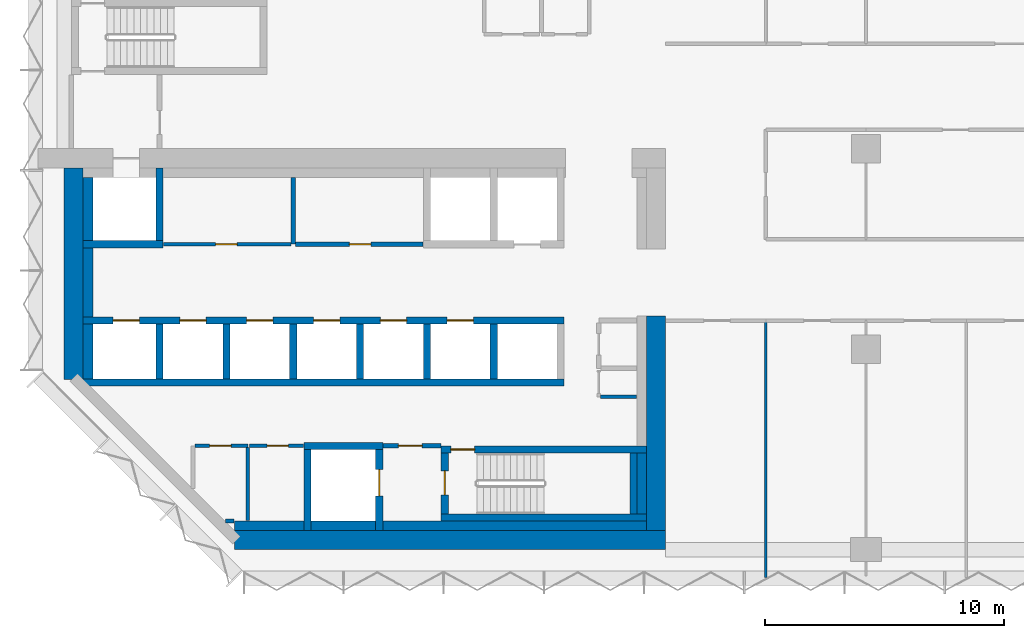
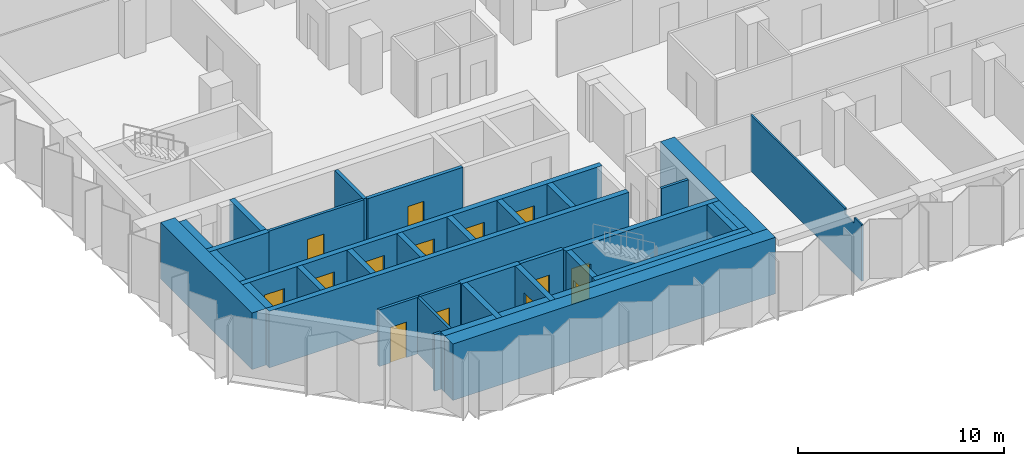
# One storey, part 7 of 13: 37 walls, 14 doors, 14 openings.
"""IFC4 building model written with IfcOpenShell, lengths in metres."""

from ifc_helpers import new_model, si_unit, direction, frame, frame_2d, origin, place, context, subcontext, project, spatial, polyline, rectangle, outline, extrude, material, layer, layer_set, type_object, element, fill, save


model = new_model("IFC4")

# Units and contexts
model_context = context("Model", 3, precision=1e-05, world=origin(), true_north=direction((0.0, 1.0)))
body_context = subcontext(model_context, "Body", "Model", "MODEL_VIEW")
ifc_project = project(units=[si_unit("LENGTHUNIT", "METRE"), si_unit("AREAUNIT", "SQUARE_METRE"), si_unit("VOLUMEUNIT", "CUBIC_METRE"), si_unit("PLANEANGLEUNIT", "RADIAN"), si_unit("MASSUNIT", "GRAM", prefix="KILO")], contexts=[model_context])

# Site, building, storey
site_placement = place(None, origin())
site = spatial("IfcSite", under=ifc_project, at=site_placement, CompositionType="ELEMENT")
building_placement = place(site_placement, origin())
building = spatial("IfcBuilding", under=site, at=building_placement, Name="Brevane Broadcast Tower", CompositionType="ELEMENT")
storey_placement = place(building_placement, frame((0.0, 0.0, 127.699951171875)))
storey = spatial("IfcBuildingStorey", under=building, at=storey_placement, Name="L31", CompositionType="ELEMENT", Elevation=127.699951171875)

# Walls
ifc_material_1 = material(Name="Concrete C32/40", Category="concrete")
ifc_layer_1 = layer(ifc_material_1, 0.39990234375)
ifc_layer_set_1 = layer_set([ifc_layer_1], Name="Core chase wall 400 mm")
wall_type_1 = type_object("IfcWallType", Name="Core chase wall 400 mm", PredefinedType="PARTITIONING", material=ifc_layer_set_1)
wall_1_placement = place(storey_placement, frame((1.0, 7.14990234375, 0.0), z_axis=(0.0, 0.0, 1.0), x_axis=(0.0, 1.0, 0.0)))
element("IfcWall", 1, at=wall_1_placement, inside=storey, type_object=wall_type_1, Name="L31 chase wall LW-2-1", PredefinedType="PARTITIONING", context=body_context, shape_type="SweptSolid", body=[
    extrude(rectangle(XDim=2.300048828125, YDim=0.39990234375, at=frame_2d((1.14990234375, 0.0))), origin(), (0.0, 0.0, 1.0), 3.35009765625),
])
wall_2_placement = place(storey_placement, frame((1.0, 9.75, 0.0), z_axis=(0.0, 0.0, 1.0), x_axis=(0.0, 1.0, 0.0)))
element("IfcWall", 2, at=wall_2_placement, inside=storey, type_object=wall_type_1, Name="L31 chase wall LW-2-2-1", PredefinedType="PARTITIONING", context=body_context, shape_type="SweptSolid", body=[
    extrude(rectangle(XDim=2.89990234375, YDim=0.39990234375, at=frame_2d((1.449951171875, 0.0))), origin(), (0.0, 0.0, 1.0), 3.35009765625),
])
wall_3_placement = place(storey_placement, frame((1.0, 12.949951171875, 0.0), z_axis=(0.0, 0.0, 1.0), x_axis=(0.0, 1.0, 0.0)))
element("IfcWall", 3, at=wall_3_placement, inside=storey, type_object=wall_type_1, Name="L31 chase wall LW-2-2-2", PredefinedType="PARTITIONING", context=body_context, shape_type="SweptSolid", body=[
    extrude(rectangle(XDim=2.650146484375, YDim=0.39990234375, at=frame_2d((1.3251953125, 0.0))), origin(), (0.0, 0.0, 1.0), 3.35009765625),
])
wall_4_placement = place(storey_placement, frame((7.136474609375, 1.0, 0.0), z_axis=(0.0, 0.0, 1.0), x_axis=(1.0, 0.0, 0.0)))
element("IfcWall", 4, at=wall_4_placement, inside=storey, type_object=wall_type_1, Name="L31 chase wall LS-1", PredefinedType="PARTITIONING", context=body_context, shape_type="SweptSolid", body=[
    extrude(rectangle(XDim=2.91357421875, YDim=0.39990234375, at=frame_2d((1.456787109375, 0.0))), origin(), (0.0, 0.0, 1.0), 3.35009765625),
])
wall_5_placement = place(storey_placement, frame((10.35009765625, 1.0, 0.0), z_axis=(0.0, 0.0, 1.0), x_axis=(1.0, 0.0, 0.0)))
element("IfcWall", 5, at=wall_5_placement, inside=storey, type_object=wall_type_1, Name="L31 chase wall LS-2-1", PredefinedType="PARTITIONING", context=body_context, shape_type="SweptSolid", body=[
    extrude(rectangle(XDim=2.699951171875, YDim=0.39990234375, at=frame_2d((1.35009765625, 0.0))), origin(), (0.0, 0.0, 1.0), 3.35009765625),
])
wall_6_placement = place(storey_placement, frame((13.35009765625, 1.0, 0.0), z_axis=(0.0, 0.0, 1.0), x_axis=(1.0, 0.0, 0.0)))
element("IfcWall", 6, at=wall_6_placement, inside=storey, type_object=wall_type_1, Name="L31 chase wall LS-2-2", PredefinedType="PARTITIONING", context=body_context, shape_type="SweptSolid", body=[
    extrude(rectangle(XDim=11.0498046875, YDim=0.39990234375, at=frame_2d((5.52490234375, 0.0))), origin(), (0.0, 0.0, 1.0), 3.35009765625),
])
wall_7_placement = place(storey_placement, frame((24.199951171875, 1.5, 0.0), z_axis=(0.0, 0.0, 1.0), x_axis=(0.0, 1.0, 0.0)))
element("IfcWall", 7, at=wall_7_placement, inside=storey, type_object=wall_type_1, Name="L31 chase wall LE1-2-1", PredefinedType="PARTITIONING", context=body_context, shape_type="SweptSolid", body=[
    extrude(rectangle(XDim=2.550048828125, YDim=0.39990234375, at=frame_2d((1.27490234375, 0.0))), origin(), (0.0, 0.0, 1.0), 3.35009765625),
])

# Wall, opening, door
ifc_material_2 = material(Name="Gypsum board on steel studs", Category="steel")
ifc_layer_2 = layer(ifc_material_2, 0.14990234375)
ifc_layer_set_2 = layer_set([ifc_layer_2], Name="Core fire partition 150 mm")
wall_type_2 = type_object("IfcWallType", Name="Core fire partition 150 mm", PredefinedType="PARTITIONING", material=ifc_layer_set_2)
wall_8_placement = place(storey_placement, frame((4.162109375, 12.800048828125, 0.0), z_axis=(0.0, 0.0, 1.0), x_axis=(1.0, 0.0, 0.0)))
wall_8 = element("IfcWall", 8, at=wall_8_placement, inside=storey, type_object=wall_type_2, Name="L31 partition wall P09", PredefinedType="PARTITIONING", context=body_context, shape_type="SweptSolid", body=[
    extrude(rectangle(XDim=5.337890625, YDim=0.14990234375, at=frame_2d((2.6689453125, 0.0))), origin(), (0.0, 0.0, 1.0), 3.35009765625),
])
opening_1_placement = place(wall_8_placement, frame((2.18798828125, 0.0, 0.0)))
opening_1 = element("IfcOpeningElement", 9, at=opening_1_placement, cuts=wall_8, Name="Opening L31-K21", PredefinedType="OPENING", context=body_context, shape_type="SweptSolid", body=[
    extrude(rectangle(XDim=0.89990234375, YDim=2.10009765625, at=frame_2d((0.449951171875, 1.050048828125))), frame((0.0, 0.0849609375, 0.0), z_axis=(0.0, -1.0, 0.0), x_axis=(1.0, 0.0, 0.0)), (0.0, 0.0, 1.0), 0.169921875),
])
ifc_material_3 = material(Name="Steel", Category="steel")
door_type_1 = type_object("IfcDoorType", Name="Service room door 900 x 2100", OperationType="SINGLE_SWING_LEFT", PredefinedType="DOOR", material=ifc_material_3)
door_1_placement = place(opening_1_placement, origin())
door_1 = element("IfcDoor", 10, at=door_1_placement, inside=storey, type_object=door_type_1, Name="Door L31-K21", OperationType="SINGLE_SWING_RIGHT", OverallHeight=2.10009765625, OverallWidth=0.89990234375, PredefinedType="DOOR", context=body_context, shape_type="SweptSolid", body=[
    extrude(rectangle(XDim=0.89990234375, YDim=2.10009765625, at=frame_2d((0.449951171875, 1.050048828125))), frame((0.0, 0.02490234375, 0.0), z_axis=(0.0, -1.0, 0.0), x_axis=(1.0, 0.0, 0.0)), (0.0, 0.0, 1.0), 0.050048828125),
])
fill(opening_1, door_1)

wall_9_placement = place(storey_placement, frame((5.47509765625, 4.35009765625, 0.0), z_axis=(0.0, 0.0, 1.0), x_axis=(1.0, 0.0, 0.0)))
wall_9 = element("IfcWall", 11, at=wall_9_placement, inside=storey, type_object=wall_type_2, Name="L31 partition wall P11", PredefinedType="PARTITIONING", context=body_context, shape_type="SweptSolid", body=[
    extrude(rectangle(XDim=2.224853515625, YDim=0.14990234375, at=frame_2d((1.1123046875, 0.0))), origin(), (0.0, 0.0, 1.0), 3.35009765625),
])
opening_2_placement = place(wall_9_placement, frame((0.625, 0.0, 0.0)))
opening_2 = element("IfcOpeningElement", 12, at=opening_2_placement, cuts=wall_9, Name="Opening L31-K16", PredefinedType="OPENING", context=body_context, shape_type="SweptSolid", body=[
    extrude(rectangle(XDim=0.89990234375, YDim=2.10009765625, at=frame_2d((0.449951171875, 1.050048828125))), frame((0.0, 0.0849609375, 0.0), z_axis=(0.0, -1.0, 0.0), x_axis=(1.0, 0.0, 0.0)), (0.0, 0.0, 1.0), 0.169921875),
])
ifc_material_4 = material(Name="Timber", Category="wood")
door_type_2 = type_object("IfcDoorType", Name="Toilet door 900 x 2100", OperationType="SINGLE_SWING_LEFT", PredefinedType="DOOR", material=ifc_material_4)
door_2_placement = place(opening_2_placement, origin())
door_2 = element("IfcDoor", 13, at=door_2_placement, inside=storey, type_object=door_type_2, Name="Door L31-K16", OperationType="SINGLE_SWING_LEFT", OverallHeight=2.10009765625, OverallWidth=0.89990234375, PredefinedType="DOOR", context=body_context, shape_type="SweptSolid", body=[
    extrude(rectangle(XDim=0.89990234375, YDim=2.10009765625, at=frame_2d((0.449951171875, 1.050048828125))), frame((0.0, 0.02490234375, 0.0), z_axis=(0.0, -1.0, 0.0), x_axis=(1.0, 0.0, 0.0)), (0.0, 0.0, 1.0), 0.050048828125),
])
fill(opening_2, door_2)

# Walls
wall_10_placement = place(storey_placement, frame((7.699951171875, 4.27490234375, 0.0), z_axis=(0.0, 0.0, 1.0), x_axis=(0.0, -1.0, 0.0)))
element("IfcWall", 14, at=wall_10_placement, inside=storey, type_object=wall_type_2, Name="L31 partition wall P12", PredefinedType="PARTITIONING", context=body_context, shape_type="SweptSolid", body=[
    extrude(rectangle(XDim=3.06298828125, YDim=0.14990234375, at=frame_2d((1.531494140625, 0.0))), origin(), (0.0, 0.0, 1.0), 3.35009765625),
])
wall_11_placement = place(storey_placement, frame((7.12451171875, 1.199951171875, 0.0), z_axis=(0.0, 0.0, 1.0), x_axis=(-1.0, 0.0, 0.0)))
element("IfcWall", 15, at=wall_11_placement, inside=storey, type_object=wall_type_2, Name="L31 partition wall P13", PredefinedType="PARTITIONING", context=body_context, shape_type="SweptSolid", body=[
    extrude(rectangle(XDim=0.37109375, YDim=0.14990234375, at=frame_2d((0.185546875, 0.0))), origin(), (0.0, 0.0, 1.0), 3.35009765625),
])

# Wall, opening, door
wall_12_placement = place(storey_placement, frame((10.0380859375, 4.35009765625, 0.0), z_axis=(0.0, 0.0, 1.0), x_axis=(-1.0, 0.0, 0.0)))
wall_12 = element("IfcWall", 16, at=wall_12_placement, inside=storey, type_object=wall_type_2, Name="L31 partition wall P14", PredefinedType="PARTITIONING", context=body_context, shape_type="SweptSolid", body=[
    extrude(rectangle(XDim=2.26318359375, YDim=0.14990234375, at=frame_2d((1.131591796875, 0.0))), origin(), (0.0, 0.0, 1.0), 3.35009765625),
])
opening_3_placement = place(wall_12_placement, frame((0.637939453125, 0.0, 0.0)))
opening_3 = element("IfcOpeningElement", 17, at=opening_3_placement, cuts=wall_12, Name="Opening L31-K17", PredefinedType="OPENING", context=body_context, shape_type="SweptSolid", body=[
    extrude(rectangle(XDim=0.89990234375, YDim=2.10009765625, at=frame_2d((0.449951171875, 1.050048828125))), frame((0.0, 0.0849609375, 0.0), z_axis=(0.0, -1.0, 0.0), x_axis=(1.0, 0.0, 0.0)), (0.0, 0.0, 1.0), 0.169921875),
])
door_3_placement = place(opening_3_placement, origin())
door_3 = element("IfcDoor", 18, at=door_3_placement, inside=storey, type_object=door_type_2, Name="Door L31-K17", OperationType="SINGLE_SWING_RIGHT", OverallHeight=2.10009765625, OverallWidth=0.89990234375, PredefinedType="DOOR", context=body_context, shape_type="SweptSolid", body=[
    extrude(rectangle(XDim=0.89990234375, YDim=2.10009765625, at=frame_2d((0.449951171875, 1.050048828125))), frame((0.0, 0.02490234375, 0.0), z_axis=(0.0, -1.0, 0.0), x_axis=(1.0, 0.0, 0.0)), (0.0, 0.0, 1.0), 0.050048828125),
])
fill(opening_3, door_3)

# Wall
wall_13_placement = place(storey_placement, frame((22.47509765625, 6.39990234375, 0.0), z_axis=(0.0, 0.0, 1.0), x_axis=(1.0, 0.0, 0.0)))
element("IfcWall", 19, at=wall_13_placement, inside=storey, type_object=wall_type_2, Name="L31 partition wall P23", PredefinedType="PARTITIONING", context=body_context, shape_type="SweptSolid", body=[
    extrude(rectangle(XDim=1.512939453125, YDim=0.14990234375, at=frame_2d((0.75634765625, 0.0))), origin(), (0.0, 0.0, 1.0), 3.35009765625),
])

# Wall, opening, door
ifc_layer_3 = layer(ifc_material_2, 0.199951171875)
ifc_layer_set_3 = layer_set([ifc_layer_3], Name="Core fire partition 200 mm")
wall_type_3 = type_object("IfcWallType", Name="Core fire partition 200 mm", PredefinedType="PARTITIONING", material=ifc_layer_set_3)
wall_14_placement = place(storey_placement, frame((13.362060546875, 4.35009765625, 0.0), z_axis=(0.0, 0.0, 1.0), x_axis=(1.0, 0.0, 0.0)))
wall_14 = element("IfcWall", 20, at=wall_14_placement, inside=storey, type_object=wall_type_3, Name="L31 partition wall P03", PredefinedType="PARTITIONING", context=body_context, shape_type="SweptSolid", body=[
    extrude(rectangle(XDim=2.426025390625, YDim=0.199951171875, at=frame_2d((1.212890625, 0.0))), origin(), (0.0, 0.0, 1.0), 3.35009765625),
])
opening_4_placement = place(wall_14_placement, frame((0.637939453125, 0.0, 0.0)))
opening_4 = element("IfcOpeningElement", 21, at=opening_4_placement, cuts=wall_14, Name="Opening L31-K18", PredefinedType="OPENING", context=body_context, shape_type="SweptSolid", body=[
    extrude(rectangle(XDim=1.0, YDim=2.10009765625, at=frame_2d((0.5, 1.050048828125))), frame((0.0, 0.10986328125, 0.0), z_axis=(0.0, -1.0, 0.0), x_axis=(1.0, 0.0, 0.0)), (0.0, 0.0, 1.0), 0.219970703125),
])
door_type_3 = type_object("IfcDoorType", Name="Stair door 1000 x 2100", OperationType="SINGLE_SWING_LEFT", PredefinedType="DOOR", material=ifc_material_3)
door_4_placement = place(opening_4_placement, origin())
door_4 = element("IfcDoor", 22, at=door_4_placement, inside=storey, type_object=door_type_3, Name="Door L31-K18", OperationType="SINGLE_SWING_LEFT", OverallHeight=2.10009765625, OverallWidth=1.0, PredefinedType="DOOR", context=body_context, shape_type="SweptSolid", body=[
    extrude(rectangle(XDim=1.0, YDim=2.10009765625, at=frame_2d((0.5, 1.050048828125))), frame((0.0, 0.02490234375, 0.0), z_axis=(0.0, -1.0, 0.0), x_axis=(1.0, 0.0, 0.0)), (0.0, 0.0, 1.0), 0.050048828125),
])
fill(opening_4, door_4)

# Wall
wall_15_placement = place(storey_placement, frame((9.60009765625, 15.587890625, 0.0), z_axis=(0.0, 0.0, 1.0), x_axis=(0.0, -1.0, 0.0)))
element("IfcWall", 23, at=wall_15_placement, inside=storey, type_object=wall_type_3, Name="L31 partition wall P04", PredefinedType="PARTITIONING", context=body_context, shape_type="SweptSolid", body=[
    extrude(rectangle(XDim=2.787841796875, YDim=0.199951171875, at=frame_2d((1.39404296875, 0.0))), origin(), (0.0, 0.0, 1.0), 3.35009765625),
])

# Wall, opening, door
wall_16_placement = place(storey_placement, frame((9.699951171875, 12.800048828125, 0.0), z_axis=(0.0, 0.0, 1.0), x_axis=(1.0, 0.0, 0.0)))
wall_16 = element("IfcWall", 24, at=wall_16_placement, inside=storey, type_object=wall_type_3, Name="L31 partition wall P05", PredefinedType="PARTITIONING", context=body_context, shape_type="SweptSolid", body=[
    extrude(rectangle(XDim=5.338134765625, YDim=0.199951171875, at=frame_2d((2.6689453125, 0.0))), origin(), (0.0, 0.0, 1.0), 3.35009765625),
])
opening_5_placement = place(wall_16_placement, frame((2.25, 0.0, 0.0)))
opening_5 = element("IfcOpeningElement", 25, at=opening_5_placement, cuts=wall_16, Name="Opening L31-K22", PredefinedType="OPENING", context=body_context, shape_type="SweptSolid", body=[
    extrude(rectangle(XDim=0.89990234375, YDim=2.10009765625, at=frame_2d((0.449951171875, 1.050048828125))), frame((0.0, 0.10986328125, 0.0), z_axis=(0.0, -1.0, 0.0), x_axis=(1.0, 0.0, 0.0)), (0.0, 0.0, 1.0), 0.219970703125),
])
door_5_placement = place(opening_5_placement, origin())
door_5 = element("IfcDoor", 26, at=door_5_placement, inside=storey, type_object=door_type_1, Name="Door L31-K22", OperationType="SINGLE_SWING_LEFT", OverallHeight=2.10009765625, OverallWidth=0.89990234375, PredefinedType="DOOR", context=body_context, shape_type="SweptSolid", body=[
    extrude(rectangle(XDim=0.89990234375, YDim=2.10009765625, at=frame_2d((0.449951171875, 1.050048828125))), frame((0.0, 0.02490234375, 0.0), z_axis=(0.0, -1.0, 0.0), x_axis=(1.0, 0.0, 0.0)), (0.0, 0.0, 1.0), 0.050048828125),
])
fill(opening_5, door_5)

# Wall
ifc_material_5 = material(Name="Concrete C60/75", Category="concrete")
ifc_layer_4 = layer(ifc_material_5, 0.300048828125)
ifc_layer_set_4 = layer_set([ifc_layer_4], Name="Core wall 300 mm C60/75")
wall_type_4 = type_object("IfcWallType", Name="Core wall 300 mm C60/75", PredefinedType="SHEAR", material=ifc_layer_set_4)
wall_17_placement = place(storey_placement, frame((0.800048828125, 7.0, 0.0), z_axis=(0.0, 0.0, 1.0), x_axis=(1.0, 0.0, 0.0)))
element("IfcWall", 27, at=wall_17_placement, inside=storey, type_object=wall_type_4, Name="L31 shaft wall SH-S012-back", PredefinedType="SHEAR", context=body_context, shape_type="SweptSolid", body=[
    extrude(rectangle(XDim=20.14990234375, YDim=0.300048828125, at=frame_2d((10.074951171875, 0.0))), origin(), (0.0, 0.0, 1.0), 3.35009765625),
])

# Wall, openings, doors
wall_18_placement = place(storey_placement, frame((0.800048828125, 9.60009765625, 0.0), z_axis=(0.0, 0.0, 1.0), x_axis=(1.0, 0.0, 0.0)))
wall_18 = element("IfcWall", 28, at=wall_18_placement, inside=storey, type_object=wall_type_4, Name="L31 shaft wall SH-S012-front", PredefinedType="SHEAR", context=body_context, shape_type="SweptSolid", body=[
    extrude(rectangle(XDim=20.14990234375, YDim=0.300048828125, at=frame_2d((10.074951171875, 0.0))), origin(), (0.0, 0.0, 1.0), 3.35009765625),
])
opening_6_placement = place(wall_18_placement, frame((1.25, 0.0, 0.0)))
opening_6 = element("IfcOpeningElement", 29, at=opening_6_placement, cuts=wall_18, Name="Opening LD", PredefinedType="OPENING", context=body_context, shape_type="SweptSolid", body=[
    extrude(rectangle(XDim=1.10009765625, YDim=2.300048828125, at=frame_2d((0.550048828125, 1.14990234375))), frame((0.0, 0.159912109375, 0.0), z_axis=(0.0, -1.0, 0.0), x_axis=(1.0, 0.0, 0.0)), (0.0, 0.0, 1.0), 0.320068359375),
])
opening_7_placement = place(wall_18_placement, frame((4.050048828125, 0.0, 0.0)))
opening_7 = element("IfcOpeningElement", 30, at=opening_7_placement, cuts=wall_18, Name="Opening LD", PredefinedType="OPENING", context=body_context, shape_type="SweptSolid", body=[
    extrude(rectangle(XDim=1.10009765625, YDim=2.300048828125, at=frame_2d((0.550048828125, 1.14990234375))), frame((0.0, 0.159912109375, 0.0), z_axis=(0.0, -1.0, 0.0), x_axis=(1.0, 0.0, 0.0)), (0.0, 0.0, 1.0), 0.320068359375),
])
opening_8_placement = place(wall_18_placement, frame((6.85009765625, 0.0, 0.0)))
opening_8 = element("IfcOpeningElement", 31, at=opening_8_placement, cuts=wall_18, Name="Opening LD", PredefinedType="OPENING", context=body_context, shape_type="SweptSolid", body=[
    extrude(rectangle(XDim=1.10009765625, YDim=2.300048828125, at=frame_2d((0.550048828125, 1.14990234375))), frame((0.0, 0.159912109375, 0.0), z_axis=(0.0, -1.0, 0.0), x_axis=(1.0, 0.0, 0.0)), (0.0, 0.0, 1.0), 0.320068359375),
])
opening_9_placement = place(wall_18_placement, frame((9.64990234375, 0.0, 0.0)))
opening_9 = element("IfcOpeningElement", 32, at=opening_9_placement, cuts=wall_18, Name="Opening LD", PredefinedType="OPENING", context=body_context, shape_type="SweptSolid", body=[
    extrude(rectangle(XDim=1.10009765625, YDim=2.300048828125, at=frame_2d((0.550048828125, 1.14990234375))), frame((0.0, 0.159912109375, 0.0), z_axis=(0.0, -1.0, 0.0), x_axis=(1.0, 0.0, 0.0)), (0.0, 0.0, 1.0), 0.320068359375),
])
opening_10_placement = place(wall_18_placement, frame((12.449951171875, 0.0, 0.0)))
opening_10 = element("IfcOpeningElement", 33, at=opening_10_placement, cuts=wall_18, Name="Opening LD", PredefinedType="OPENING", context=body_context, shape_type="SweptSolid", body=[
    extrude(rectangle(XDim=1.10009765625, YDim=2.300048828125, at=frame_2d((0.550048828125, 1.14990234375))), frame((0.0, 0.159912109375, 0.0), z_axis=(0.0, -1.0, 0.0), x_axis=(1.0, 0.0, 0.0)), (0.0, 0.0, 1.0), 0.320068359375),
])
opening_11_placement = place(wall_18_placement, frame((15.25, 0.0, 0.0)))
opening_11 = element("IfcOpeningElement", 34, at=opening_11_placement, cuts=wall_18, Name="Opening LD", PredefinedType="OPENING", context=body_context, shape_type="SweptSolid", body=[
    extrude(rectangle(XDim=1.10009765625, YDim=2.300048828125, at=frame_2d((0.550048828125, 1.14990234375))), frame((0.0, 0.159912109375, 0.0), z_axis=(0.0, -1.0, 0.0), x_axis=(1.0, 0.0, 0.0)), (0.0, 0.0, 1.0), 0.320068359375),
])
ifc_material_6 = material(Name="Stainless steel", Category="steel")
door_type_4 = type_object("IfcDoorType", Name="Lift landing door", OperationType="SLIDING_TO_LEFT", PredefinedType="DOOR", material=ifc_material_6)
door_6_placement = place(opening_6_placement, origin())
door_6 = element("IfcDoor", 35, at=door_6_placement, inside=storey, type_object=door_type_4, Name="Landing door LR1 L31", OperationType="SLIDING_TO_LEFT", OverallHeight=2.300048828125, OverallWidth=1.10009765625, PredefinedType="DOOR", context=body_context, shape_type="SweptSolid", body=[
    extrude(rectangle(XDim=1.10009765625, YDim=2.300048828125, at=frame_2d((0.550048828125, 1.14990234375))), frame((0.0, 0.02490234375, 0.0), z_axis=(0.0, -1.0, 0.0), x_axis=(1.0, 0.0, 0.0)), (0.0, 0.0, 1.0), 0.050048828125),
])
fill(opening_6, door_6)
door_7_placement = place(opening_7_placement, origin())
door_7 = element("IfcDoor", 36, at=door_7_placement, inside=storey, type_object=door_type_4, Name="Landing door LR2 L31", OperationType="SLIDING_TO_LEFT", OverallHeight=2.300048828125, OverallWidth=1.10009765625, PredefinedType="DOOR", context=body_context, shape_type="SweptSolid", body=[
    extrude(rectangle(XDim=1.10009765625, YDim=2.300048828125, at=frame_2d((0.550048828125, 1.14990234375))), frame((0.0, 0.02490234375, 0.0), z_axis=(0.0, -1.0, 0.0), x_axis=(1.0, 0.0, 0.0)), (0.0, 0.0, 1.0), 0.050048828125),
])
fill(opening_7, door_7)
door_8_placement = place(opening_8_placement, origin())
door_8 = element("IfcDoor", 37, at=door_8_placement, inside=storey, type_object=door_type_4, Name="Landing door LR3 L31", OperationType="SLIDING_TO_LEFT", OverallHeight=2.300048828125, OverallWidth=1.10009765625, PredefinedType="DOOR", context=body_context, shape_type="SweptSolid", body=[
    extrude(rectangle(XDim=1.10009765625, YDim=2.300048828125, at=frame_2d((0.550048828125, 1.14990234375))), frame((0.0, 0.02490234375, 0.0), z_axis=(0.0, -1.0, 0.0), x_axis=(1.0, 0.0, 0.0)), (0.0, 0.0, 1.0), 0.050048828125),
])
fill(opening_8, door_8)
door_9_placement = place(opening_9_placement, origin())
door_9 = element("IfcDoor", 38, at=door_9_placement, inside=storey, type_object=door_type_4, Name="Landing door LR4 L31", OperationType="SLIDING_TO_LEFT", OverallHeight=2.300048828125, OverallWidth=1.10009765625, PredefinedType="DOOR", context=body_context, shape_type="SweptSolid", body=[
    extrude(rectangle(XDim=1.10009765625, YDim=2.300048828125, at=frame_2d((0.550048828125, 1.14990234375))), frame((0.0, 0.02490234375, 0.0), z_axis=(0.0, -1.0, 0.0), x_axis=(1.0, 0.0, 0.0)), (0.0, 0.0, 1.0), 0.050048828125),
])
fill(opening_9, door_9)
door_10_placement = place(opening_10_placement, origin())
door_10 = element("IfcDoor", 39, at=door_10_placement, inside=storey, type_object=door_type_4, Name="Landing door LR5 L31", OperationType="SLIDING_TO_LEFT", OverallHeight=2.300048828125, OverallWidth=1.10009765625, PredefinedType="DOOR", context=body_context, shape_type="SweptSolid", body=[
    extrude(rectangle(XDim=1.10009765625, YDim=2.300048828125, at=frame_2d((0.550048828125, 1.14990234375))), frame((0.0, 0.02490234375, 0.0), z_axis=(0.0, -1.0, 0.0), x_axis=(1.0, 0.0, 0.0)), (0.0, 0.0, 1.0), 0.050048828125),
])
fill(opening_10, door_10)
door_11_placement = place(opening_11_placement, origin())
door_11 = element("IfcDoor", 40, at=door_11_placement, inside=storey, type_object=door_type_4, Name="Landing door LR6 L31", OperationType="SLIDING_TO_LEFT", OverallHeight=2.300048828125, OverallWidth=1.10009765625, PredefinedType="DOOR", context=body_context, shape_type="SweptSolid", body=[
    extrude(rectangle(XDim=1.10009765625, YDim=2.300048828125, at=frame_2d((0.550048828125, 1.14990234375))), frame((0.0, 0.02490234375, 0.0), z_axis=(0.0, -1.0, 0.0), x_axis=(1.0, 0.0, 0.0)), (0.0, 0.0, 1.0), 0.050048828125),
])
fill(opening_11, door_11)

# Walls
for number, where, z_axis, x_axis, name in (
    (41, (4.0, 7.14990234375, 0.0), (0.0, 0.0, 1.0), (0.0, 1.0, 0.0), "L31 shaft wall SH-S-P040"),
    (42, (6.800048828125, 7.14990234375, 0.0), (0.0, 0.0, 1.0), (0.0, 1.0, 0.0), "L31 shaft wall SH-S-P068"),
    (43, (9.60009765625, 7.14990234375, 0.0), (0.0, 0.0, 1.0), (0.0, 1.0, 0.0), "L31 shaft wall SH-S-P096"),
    (44, (12.39990234375, 7.14990234375, 0.0), (0.0, 0.0, 1.0), (0.0, 1.0, 0.0), "L31 shaft wall SH-S-P124"),
    (45, (15.199951171875, 7.14990234375, 0.0), (0.0, 0.0, 1.0), (0.0, 1.0, 0.0), "L31 shaft wall SH-S-P152"),
    (46, (18.0, 7.14990234375, 0.0), (0.0, 0.0, 1.0), (0.0, 1.0, 0.0), "L31 shaft wall SH-S-P180"),
):
    element("IfcWall", number, at=place(storey_placement, frame(where, z_axis=z_axis, x_axis=x_axis)), inside=storey, type_object=wall_type_4, Name=name, PredefinedType="SHEAR", context=body_context, shape_type="SweptSolid", body=[
        extrude(rectangle(XDim=2.300048828125, YDim=0.300048828125, at=frame_2d((1.14990234375, 0.0))), origin(), (0.0, 0.0, 1.0), 3.35009765625),
    ])
wall_19_placement = place(storey_placement, frame((0.800048828125, 12.800048828125, 0.0), z_axis=(0.0, 0.0, 1.0), x_axis=(1.0, 0.0, 0.0)))
element("IfcWall", 47, at=wall_19_placement, inside=storey, type_object=wall_type_4, Name="L31 shaft wall SH-N012-front", PredefinedType="SHEAR", context=body_context, shape_type="SweptSolid", body=[
    extrude(rectangle(XDim=3.349853515625, YDim=0.300048828125, at=frame_2d((1.6748046875, 0.0))), origin(), (0.0, 0.0, 1.0), 3.35009765625),
])
wall_20_placement = place(storey_placement, frame((4.0, 12.949951171875, 0.0), z_axis=(0.0, 0.0, 1.0), x_axis=(0.0, 1.0, 0.0)))
element("IfcWall", 48, at=wall_20_placement, inside=storey, type_object=wall_type_4, Name="L31 shaft wall SH-N-P040", PredefinedType="SHEAR", context=body_context, shape_type="SweptSolid", body=[
    extrude(rectangle(XDim=3.050048828125, YDim=0.300048828125, at=frame_2d((1.52490234375, 0.0))), origin(), (0.0, 0.0, 1.0), 3.35009765625),
])
wall_21_placement = place(storey_placement, frame((10.199951171875, 0.800048828125, 0.0), z_axis=(0.0, 0.0, 1.0), x_axis=(0.0, 1.0, 0.0)))
element("IfcWall", 49, at=wall_21_placement, inside=storey, type_object=wall_type_4, Name="L31 shaft wall FF2-W", PredefinedType="SHEAR", context=body_context, shape_type="SweptSolid", body=[
    extrude(rectangle(XDim=3.39990234375, YDim=0.300048828125, at=frame_2d((1.699951171875, 0.0))), origin(), (0.0, 0.0, 1.0), 3.35009765625),
])

# Wall, opening, door
wall_22_placement = place(storey_placement, frame((13.199951171875, 0.800048828125, 0.0), z_axis=(0.0, 0.0, 1.0), x_axis=(0.0, 1.0, 0.0)))
wall_22 = element("IfcWall", 50, at=wall_22_placement, inside=storey, type_object=wall_type_4, Name="L31 shaft wall FF2-E", PredefinedType="SHEAR", context=body_context, shape_type="SweptSolid", body=[
    extrude(rectangle(XDim=3.39990234375, YDim=0.300048828125, at=frame_2d((1.699951171875, 0.0))), origin(), (0.0, 0.0, 1.0), 3.35009765625),
])
opening_12_placement = place(wall_22_placement, frame((1.449951171875, 0.0, 0.0)))
opening_12 = element("IfcOpeningElement", 51, at=opening_12_placement, cuts=wall_22, Name="Opening LD", PredefinedType="OPENING", context=body_context, shape_type="SweptSolid", body=[
    extrude(rectangle(XDim=1.10009765625, YDim=2.300048828125, at=frame_2d((0.550048828125, 1.14990234375))), frame((0.0, 0.159912109375, 0.0), z_axis=(0.0, -1.0, 0.0), x_axis=(1.0, 0.0, 0.0)), (0.0, 0.0, 1.0), 0.320068359375),
])
door_12_placement = place(opening_12_placement, origin())
door_12 = element("IfcDoor", 52, at=door_12_placement, inside=storey, type_object=door_type_4, Name="Landing door FF2 L31", OperationType="SLIDING_TO_LEFT", OverallHeight=2.300048828125, OverallWidth=1.10009765625, PredefinedType="DOOR", context=body_context, shape_type="SweptSolid", body=[
    extrude(rectangle(XDim=1.10009765625, YDim=2.300048828125, at=frame_2d((0.550048828125, 1.14990234375))), frame((0.0, 0.02490234375, 0.0), z_axis=(0.0, -1.0, 0.0), x_axis=(1.0, 0.0, 0.0)), (0.0, 0.0, 1.0), 0.050048828125),
])
fill(opening_12, door_12)

# Walls
wall_23_placement = place(storey_placement, frame((10.050048828125, 4.35009765625, 0.0), z_axis=(0.0, 0.0, 1.0), x_axis=(1.0, 0.0, 0.0)))
element("IfcWall", 53, at=wall_23_placement, inside=storey, type_object=wall_type_4, Name="L31 shaft wall FF2-N", PredefinedType="SHEAR", context=body_context, shape_type="SweptSolid", body=[
    extrude(rectangle(XDim=3.300048828125, YDim=0.300048828125, at=frame_2d((1.64990234375, 0.0))), origin(), (0.0, 0.0, 1.0), 3.35009765625),
])
wall_24_placement = place(storey_placement, frame((15.800048828125, 1.35009765625, 0.0), z_axis=(0.0, 0.0, 1.0), x_axis=(1.0, 0.0, 0.0)))
element("IfcWall", 54, at=wall_24_placement, inside=storey, type_object=wall_type_4, Name="L31 stair wall ST-2-S", PredefinedType="SHEAR", context=body_context, shape_type="SweptSolid", body=[
    extrude(rectangle(XDim=8.599853515625, YDim=0.300048828125, at=frame_2d((4.2998046875, 0.0))), origin(), (0.0, 0.0, 1.0), 3.35009765625),
])

# Wall, opening, door
wall_25_placement = place(storey_placement, frame((15.800048828125, 4.199951171875, 0.0), z_axis=(0.0, 0.0, 1.0), x_axis=(1.0, 0.0, 0.0)))
wall_25 = element("IfcWall", 55, at=wall_25_placement, inside=storey, type_object=wall_type_4, Name="L31 stair wall ST-2-N", PredefinedType="SHEAR", context=body_context, shape_type="SweptSolid", body=[
    extrude(rectangle(XDim=8.599853515625, YDim=0.300048828125, at=frame_2d((4.2998046875, 0.0))), origin(), (0.0, 0.0, 1.0), 3.35009765625),
])
opening_13_placement = place(wall_25_placement, frame((0.39990234375, 0.0, 0.0)))
opening_13 = element("IfcOpeningElement", 56, at=opening_13_placement, cuts=wall_25, Name="Opening L31-K13", PredefinedType="OPENING", context=body_context, shape_type="SweptSolid", body=[
    extrude(rectangle(XDim=1.0, YDim=2.10009765625, at=frame_2d((0.5, 1.050048828125))), frame((0.0, 0.159912109375, 0.0), z_axis=(0.0, -1.0, 0.0), x_axis=(1.0, 0.0, 0.0)), (0.0, 0.0, 1.0), 0.320068359375),
])
door_13_placement = place(opening_13_placement, origin())
door_13 = element("IfcDoor", 57, at=door_13_placement, inside=storey, type_object=door_type_3, Name="Door L31-K13", OperationType="SINGLE_SWING_RIGHT", OverallHeight=2.10009765625, OverallWidth=1.0, PredefinedType="DOOR", context=body_context, shape_type="SweptSolid", body=[
    extrude(rectangle(XDim=1.0, YDim=2.10009765625, at=frame_2d((0.5, 1.050048828125))), frame((0.0, 0.02490234375, 0.0), z_axis=(0.0, -1.0, 0.0), x_axis=(1.0, 0.0, 0.0)), (0.0, 0.0, 1.0), 0.050048828125),
])
fill(opening_13, door_13)

wall_26_placement = place(storey_placement, frame((15.949951171875, 1.5, 0.0), z_axis=(0.0, 0.0, 1.0), x_axis=(0.0, 1.0, 0.0)))
wall_26 = element("IfcWall", 58, at=wall_26_placement, inside=storey, type_object=wall_type_4, Name="L31 stair wall ST-2-W", PredefinedType="SHEAR", context=body_context, shape_type="SweptSolid", body=[
    extrude(rectangle(XDim=2.550048828125, YDim=0.300048828125, at=frame_2d((1.27490234375, 0.0))), origin(), (0.0, 0.0, 1.0), 3.35009765625),
])
opening_14_placement = place(wall_26_placement, frame((0.800048828125, 0.0, 0.0)))
opening_14 = element("IfcOpeningElement", 59, at=opening_14_placement, cuts=wall_26, Name="Opening L31-K12", PredefinedType="OPENING", context=body_context, shape_type="SweptSolid", body=[
    extrude(rectangle(XDim=1.0, YDim=2.10009765625, at=frame_2d((0.5, 1.050048828125))), frame((0.0, 0.159912109375, 0.0), z_axis=(0.0, -1.0, 0.0), x_axis=(1.0, 0.0, 0.0)), (0.0, 0.0, 1.0), 0.320068359375),
])
door_14_placement = place(opening_14_placement, origin())
door_14 = element("IfcDoor", 60, at=door_14_placement, inside=storey, type_object=door_type_3, Name="Door L31-K12", OperationType="SINGLE_SWING_LEFT", OverallHeight=2.10009765625, OverallWidth=1.0, PredefinedType="DOOR", context=body_context, shape_type="SweptSolid", body=[
    extrude(rectangle(XDim=1.0, YDim=2.10009765625, at=frame_2d((0.5, 1.050048828125))), frame((0.0, 0.02490234375, 0.0), z_axis=(0.0, -1.0, 0.0), x_axis=(1.0, 0.0, 0.0)), (0.0, 0.0, 1.0), 0.050048828125),
])
fill(opening_14, door_14)

# Walls
wall_27_placement = place(storey_placement, frame((23.85009765625, 1.5, 0.0), z_axis=(0.0, 0.0, 1.0), x_axis=(0.0, 1.0, 0.0)))
element("IfcWall", 61, at=wall_27_placement, inside=storey, type_object=wall_type_4, Name="L31 stair wall ST-2-E", PredefinedType="SHEAR", context=body_context, shape_type="SweptSolid", body=[
    extrude(rectangle(XDim=2.550048828125, YDim=0.300048828125, at=frame_2d((1.27490234375, 0.0))), origin(), (0.0, 0.0, 1.0), 3.35009765625),
])
ifc_layer_5 = layer(ifc_material_5, 0.800048828125)
ifc_layer_set_5 = layer_set([ifc_layer_5], Name="Core wall 800 mm C60/75")
wall_type_5 = type_object("IfcWallType", Name="Core wall 800 mm C60/75", PredefinedType="SHEAR", material=ifc_layer_set_5)
wall_28_placement = place(storey_placement, frame((7.136474609375, 0.39990234375, 0.0), z_axis=(0.0, 0.0, 1.0), x_axis=(1.0, 0.0, 0.0)))
element("IfcWall", 62, at=wall_28_placement, inside=storey, type_object=wall_type_5, Name="L31 outer wall WS", PredefinedType="SHEAR", context=body_context, shape_type="SweptSolid", body=[
    extrude(rectangle(XDim=18.0634765625, YDim=0.800048828125, at=frame_2d((9.03173828125, 0.0))), origin(), (0.0, 0.0, 1.0), 3.35009765625),
])
wall_29_placement = place(storey_placement, frame((0.39990234375, 7.136474609375, 0.0), z_axis=(0.0, 0.0, 1.0), x_axis=(0.0, 1.0, 0.0)))
element("IfcWall", 63, at=wall_29_placement, inside=storey, type_object=wall_type_5, Name="L31 outer wall WW", PredefinedType="SHEAR", context=body_context, shape_type="SweptSolid", body=[
    extrude(rectangle(XDim=8.863525390625, YDim=0.800048828125, at=frame_2d((4.431640625, 0.0))), origin(), (0.0, 0.0, 1.0), 3.35009765625),
])
wall_30_placement = place(storey_placement, frame((24.800048828125, 0.800048828125, 0.0), z_axis=(0.0, 0.0, 1.0), x_axis=(0.0, 1.0, 0.0)))
element("IfcWall", 64, at=wall_30_placement, inside=storey, type_object=wall_type_5, Name="L31 outer wall WE1", PredefinedType="SHEAR", context=body_context, shape_type="SweptSolid", body=[
    extrude(rectangle(XDim=9.0, YDim=0.800048828125, at=frame_2d((4.5, 0.0))), origin(), (0.0, 0.0, 1.0), 3.35009765625),
])
ifc_material_7 = material(Name="Gypsum board partition")
ifc_layer_6 = layer(ifc_material_7, 0.10009765625)
ifc_layer_set_6 = layer_set([ifc_layer_6], Name="PARTITION 100 STUD")
wall_type_6 = type_object("IfcWallType", Name="PARTITION 100 STUD", PredefinedType="PARTITIONING", material=ifc_layer_set_6)
wall_31_placement = place(storey_placement, frame((29.39990234375, 9.60009765625, 0.0), z_axis=(0.0, 0.0, 1.0), x_axis=(0.0, -1.0, 0.0)))
element("IfcWall", 65, at=wall_31_placement, inside=storey, type_object=wall_type_6, Name="Partition G09-031", PredefinedType="PARTITIONING", context=body_context, shape_type="SweptSolid", body=[
    extrude(outline(polyline([(0.0, 0.0), (10.774169921875, 0.0), (10.77392578125, 3.330078125), (10.699951171875, 3.330078125), (10.050048828125, 3.330078125), (10.048095703125, 2.97998046875), (9.152099609375, 2.97998046875), (9.14990234375, 3.330078125), (0.0, 3.330078125), (0.0, 0.0)])), frame((0.0, 0.050048828125, 0.0), z_axis=(0.0, -1.0, 0.0), x_axis=(1.0, 0.0, 0.0)), (0.0, 0.0, 1.0), 0.10009765625),
])

save(model, "model.ifc")
